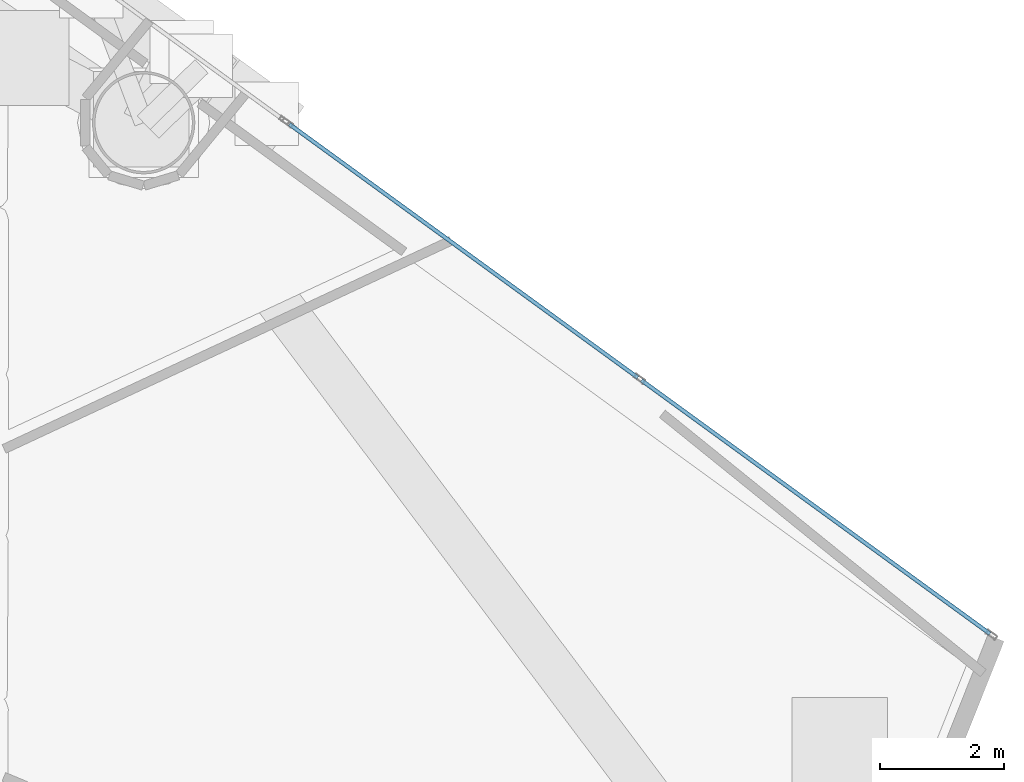
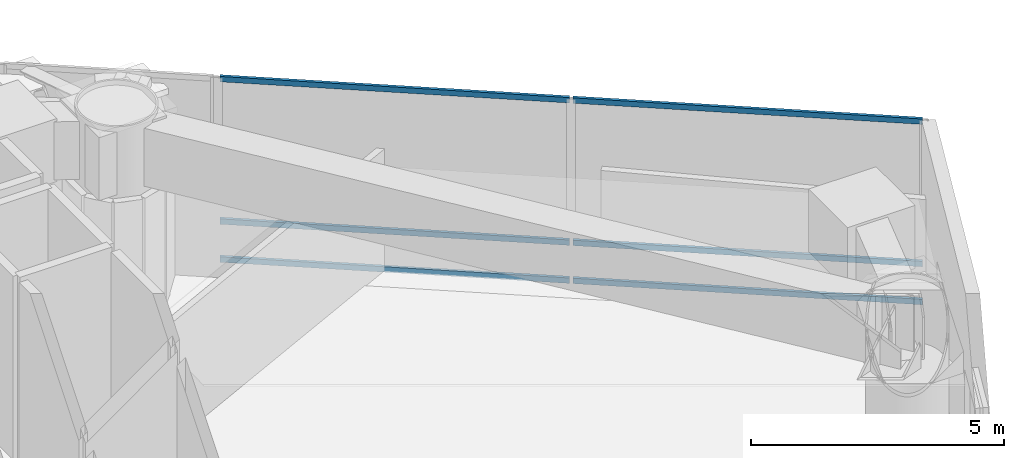
# One storey, part 14 of 22: 6 members, 1 element without a shape of its own.
"""IFC4 building model written with IfcOpenShell, lengths in metres."""

from ifc_helpers import new_model, si_unit, direction, frame, origin, origin_2d, place, context, subcontext, project, spatial, hollow_rectangle, extrude, material, layer, layer_set, material_profile, profile_set, type_object, element, aggregate, save


model = new_model("IFC4")

# Units and contexts
model_context = context("Model", 3, precision=1e-05, world=origin(), true_north=direction((0.0, 1.0)))
body_context = subcontext(model_context, "Body", "Model", "MODEL_VIEW")
ifc_project = project(units=[si_unit("LENGTHUNIT", "METRE"), si_unit("AREAUNIT", "SQUARE_METRE"), si_unit("VOLUMEUNIT", "CUBIC_METRE"), si_unit("PLANEANGLEUNIT", "RADIAN"), si_unit("MASSUNIT", "GRAM", prefix="KILO")], contexts=[model_context])

# Site, building, storey
site_placement = place(None, origin())
site = spatial("IfcSite", under=ifc_project, at=site_placement, CompositionType="ELEMENT")
building_placement = place(site_placement, origin())
building = spatial("IfcBuilding", under=site, at=building_placement, Name="Qianvela Tower", CompositionType="ELEMENT")
storey_placement = place(building_placement, frame((0.0, 0.0, 93.199951171875)))
storey = spatial("IfcBuildingStorey", under=building, at=storey_placement, Name="L23", CompositionType="ELEMENT", Elevation=93.199951171875)

# Curtain wall, members
ifc_material_1 = material(Name="Anodised Architectural Aluminium and Low-E Glass", Category="aluminium")
ifc_layer = layer(ifc_material_1, 0.179931640625)
ifc_layer_set = layer_set([ifc_layer], Name="Anodised Architectural Aluminium and Low-E Glass")
curtain_wall_type = type_object("IfcCurtainWallType", Name="CW-COLIV-Z12", PredefinedType="USERDEFINED", material=ifc_layer_set)
curtain_wall_placement = place(storey_placement, origin())
curtain_wall = element("IfcCurtainWall", 1, at=curtain_wall_placement, inside=storey, type_object=curtain_wall_type, Name="L23 CW-COLIV-Z12 Curtain Wall 02A", ObjectType="CURTAIN_WALL_SYSTEM", PredefinedType="USERDEFINED")
ifc_material_2 = material(Name="Anodised Architectural Aluminium 6063-T6", Category="aluminium")
ifc_material_profile = material_profile(ifc_material_2, hollow_rectangle(XDim=0.06494140625, YDim=0.1298828125, WallThickness=0.00439453125, at=origin_2d()), Name="ALU-TRAN-65x130")
ifc_profile_set = profile_set([ifc_material_profile], Name="Anodised Architectural Aluminium 6063-T6")
member_type = type_object("IfcMemberType", Name="CW-COLIV-Z12-TRAN", PredefinedType="USERDEFINED", material=ifc_profile_set)
member_1_placement = place(storey_placement, frame((59.631591796875, 25.815185546875, 0.032470703125), z_axis=(-0.808666200661, 0.588267775685, 0.0), x_axis=(-0.588267775685, -0.808666200661, 0.0)))
member_1 = element("IfcMember", 2, at=member_1_placement, type_object=member_type, Name="CW-3 transom 1.1", ObjectType="TRANSOM", PredefinedType="USERDEFINED", context=body_context, shape_type="SweptSolid", body=[
    extrude(hollow_rectangle(XDim=0.06494140625, YDim=0.1298828125, WallThickness=0.00439453125, at=origin_2d()), origin(), (0.0, 0.0, 1.0), 6.949951171875),
])
member_2_placement = place(storey_placement, frame((59.631591796875, 25.815185546875, 0.949951171875), z_axis=(-0.808666200661, 0.588267775685, 0.0), x_axis=(-0.588267775685, -0.808666200661, 0.0)))
member_2 = element("IfcMember", 3, at=member_2_placement, type_object=member_type, Name="CW-3 transom 1.2", ObjectType="TRANSOM", PredefinedType="USERDEFINED", context=body_context, shape_type="SweptSolid", body=[
    extrude(hollow_rectangle(XDim=0.06494140625, YDim=0.1298828125, WallThickness=0.00439453125, at=origin_2d()), origin(), (0.0, 0.0, 1.0), 6.949951171875),
])
member_3_placement = place(storey_placement, frame((59.631591796875, 25.815185546875, 4.387451171875), z_axis=(-0.808666200661, 0.588267775685, 0.0), x_axis=(-0.588267775685, -0.808666200661, 0.0)))
member_3 = element("IfcMember", 4, at=member_3_placement, type_object=member_type, Name="CW-3 transom 1.3", ObjectType="TRANSOM", PredefinedType="USERDEFINED", context=body_context, shape_type="SweptSolid", body=[
    extrude(hollow_rectangle(XDim=0.06494140625, YDim=0.1298828125, WallThickness=0.00439453125, at=origin_2d()), origin(), (0.0, 0.0, 1.0), 6.949951171875),
])
member_4_placement = place(storey_placement, frame((53.954833984375, 29.944580078125, 0.032470703125), z_axis=(-0.808678356798, 0.588251064807, 0.0), x_axis=(-0.588251064807, -0.808678356798, 0.0)))
member_4 = element("IfcMember", 5, at=member_4_placement, type_object=member_type, Name="CW-3 transom 2.1", ObjectType="TRANSOM", PredefinedType="USERDEFINED", context=body_context, shape_type="SweptSolid", body=[
    extrude(hollow_rectangle(XDim=0.06494140625, YDim=0.1298828125, WallThickness=0.00439453125, at=origin_2d()), origin(), (0.0, 0.0, 1.0), 6.949951171875),
])
member_5_placement = place(storey_placement, frame((53.954833984375, 29.944580078125, 0.949951171875), z_axis=(-0.808678356798, 0.588251064807, 0.0), x_axis=(-0.588251064807, -0.808678356798, 0.0)))
member_5 = element("IfcMember", 6, at=member_5_placement, type_object=member_type, Name="CW-3 transom 2.2", ObjectType="TRANSOM", PredefinedType="USERDEFINED", context=body_context, shape_type="SweptSolid", body=[
    extrude(hollow_rectangle(XDim=0.06494140625, YDim=0.1298828125, WallThickness=0.00439453125, at=origin_2d()), origin(), (0.0, 0.0, 1.0), 6.949951171875),
])
member_6_placement = place(storey_placement, frame((53.954833984375, 29.944580078125, 4.387451171875), z_axis=(-0.808678356798, 0.588251064807, 0.0), x_axis=(-0.588251064807, -0.808678356798, 0.0)))
member_6 = element("IfcMember", 7, at=member_6_placement, type_object=member_type, Name="CW-3 transom 2.3", ObjectType="TRANSOM", PredefinedType="USERDEFINED", context=body_context, shape_type="SweptSolid", body=[
    extrude(hollow_rectangle(XDim=0.06494140625, YDim=0.1298828125, WallThickness=0.00439453125, at=origin_2d()), origin(), (0.0, 0.0, 1.0), 6.949951171875),
])
aggregate(curtain_wall, [member_1, member_2, member_3, member_4, member_5, member_6])

save(model, "model.ifc")
